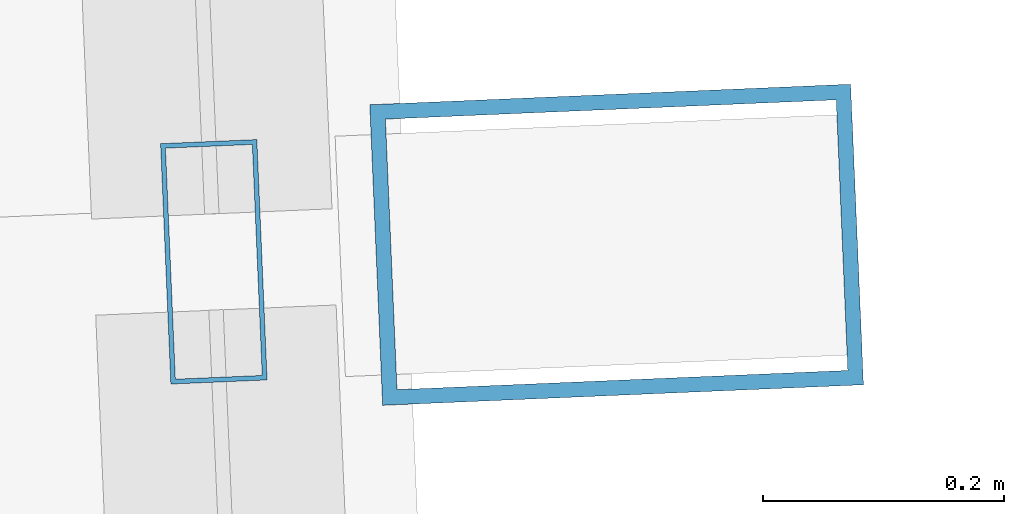
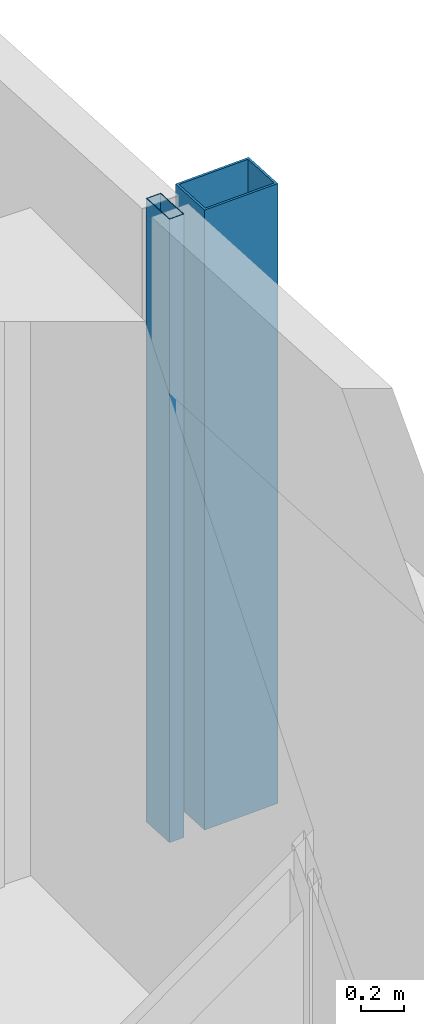
# One storey, part 29 of 46: 2 members, 1 element without a shape of its own.
"""IFC4 building model written with IfcOpenShell, lengths in metres."""

from ifc_helpers import new_model, si_unit, direction, frame, origin, origin_2d, place, context, subcontext, project, spatial, hollow_rectangle, extrude, material, material_profile, profile_set, type_object, element, aggregate, save


model = new_model("IFC4")

# Units and contexts
model_context = context("Model", 3, precision=1e-05, world=origin(), true_north=direction((0.0, 1.0)))
body_context = subcontext(model_context, "Body", "Model", "MODEL_VIEW")
ifc_project = project(units=[si_unit("LENGTHUNIT", "METRE"), si_unit("AREAUNIT", "SQUARE_METRE"), si_unit("VOLUMEUNIT", "CUBIC_METRE"), si_unit("PLANEANGLEUNIT", "RADIAN"), si_unit("MASSUNIT", "GRAM", prefix="KILO")], contexts=[model_context])

# Site, building, storey
site_placement = place(None, origin())
site = spatial("IfcSite", under=ifc_project, at=site_placement, CompositionType="ELEMENT")
building_placement = place(site_placement, origin())
building = spatial("IfcBuilding", under=site, at=building_placement, Name="Rekha Terrace Tower", CompositionType="ELEMENT")
storey_placement = place(building_placement, frame((0.0, 0.0, 29.14990234375)))
storey = spatial("IfcBuildingStorey", under=building, at=storey_placement, Name="L06", CompositionType="ELEMENT", Elevation=29.14990234375)

# Curtain wall, members
ifc_material_1 = material(Name="Aluminium framing", Category="aluminium")
curtain_wall_type = type_object("IfcCurtainWallType", Name="CW2 double skin outer glazing", PredefinedType="USERDEFINED", material=ifc_material_1)
curtain_wall_placement = place(storey_placement, origin())
curtain_wall = element("IfcCurtainWall", 1, at=curtain_wall_placement, inside=storey, type_object=curtain_wall_type, Name="CW2 double skin outer glazing", ObjectType="DOUBLE SKIN OUTER GLAZING", PredefinedType="USERDEFINED")
ifc_material_2 = material(Name="Steel S355 with fluorocarbon finish", Category="steel")
ifc_material_profile_1 = material_profile(ifc_material_2, hollow_rectangle(XDim=0.25, YDim=0.39990234375, WallThickness=0.012451171875, at=origin_2d()), Name="RHS400x250x12.5")
ifc_profile_set_1 = profile_set([ifc_material_profile_1], Name="Steel S355 with fluorocarbon finish")
member_type_1 = type_object("IfcMemberType", Name="BL1 facade blade RHS 400 x 250", PredefinedType="USERDEFINED", material=ifc_profile_set_1)
member_1_placement = place(storey_placement, frame((69.554443359375, 51.724609375, 0.02001953125), z_axis=(0.0, 0.0, 1.0), x_axis=(-0.04269522475, 0.99908814315, 0.0)))
member_1 = element("IfcMember", 2, at=member_1_placement, type_object=member_type_1, Name="Facade blade", ObjectType="FACADE BLADE", PredefinedType="USERDEFINED", context=body_context, shape_type="SweptSolid", body=[
    extrude(hollow_rectangle(XDim=0.25, YDim=0.39990234375, WallThickness=0.012451171875, at=origin_2d()), origin(), (0.0, 0.0, 1.0), 3.47998046875),
])
ifc_material_3 = material(Name="Aluminium mullion section", Category="aluminium")
ifc_material_profile_2 = material_profile(ifc_material_3, hollow_rectangle(XDim=0.080078125, YDim=0.199951171875, WallThickness=0.00390625, at=origin_2d()), Name="AL RHS 80x200")
ifc_profile_set_2 = profile_set([ifc_material_profile_2], Name="Aluminium mullion section")
member_type_2 = type_object("IfcMemberType", Name="CW2 mullion RHS 80 x 200", PredefinedType="MULLION", material=ifc_profile_set_2)
member_2_placement = place(storey_placement, frame((69.2197265625, 51.71044921875, 0.0), z_axis=(0.0, 0.0, 1.0), x_axis=(-0.999088106903, -0.042696072956, 0.0)))
member_2 = element("IfcMember", 3, at=member_2_placement, type_object=member_type_2, Name="CW2 mullion 4", PredefinedType="MULLION", context=body_context, shape_type="SweptSolid", body=[
    extrude(hollow_rectangle(XDim=0.080078125, YDim=0.199951171875, WallThickness=0.00390625, at=origin_2d()), origin(), (0.0, 0.0, 1.0), 3.5),
])
aggregate(curtain_wall, [member_2, member_1])

save(model, "model.ifc")
